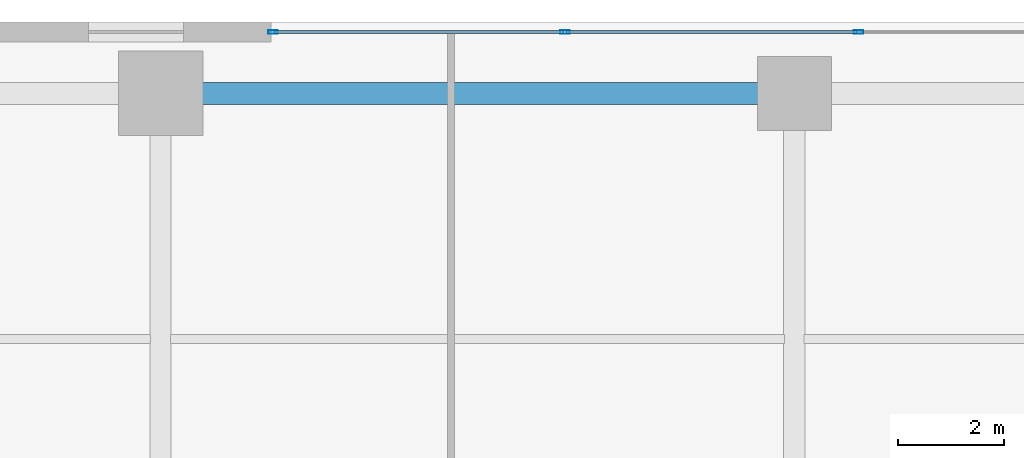
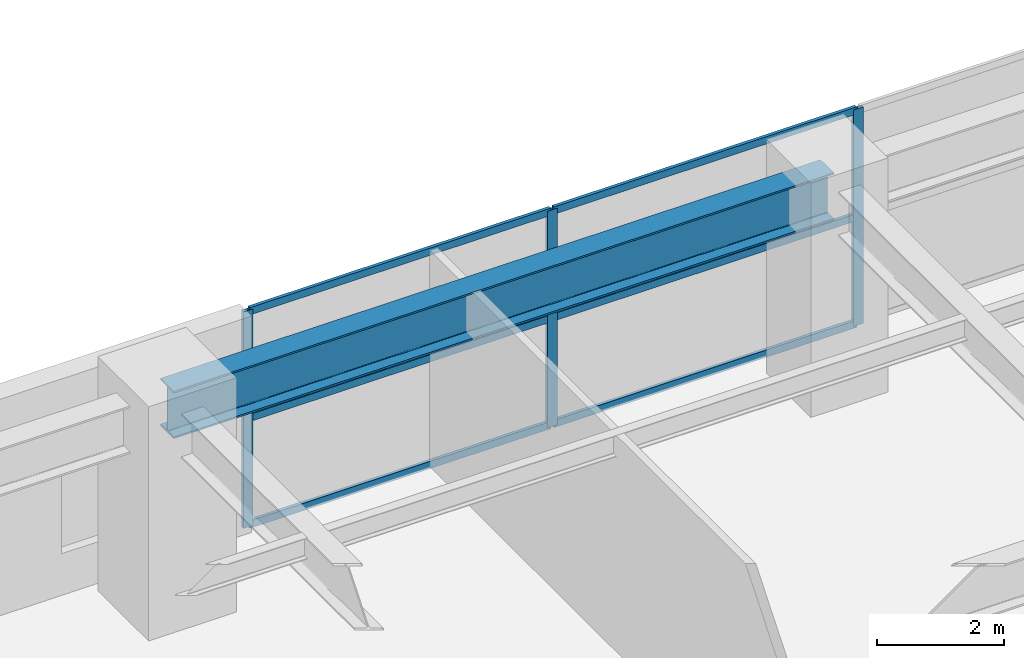
# One storey, part 5 of 26: 9 members, 1 beam, 1 element without a shape of its own.
"""IFC4 building model written with IfcOpenShell, lengths in metres."""

from ifc_helpers import new_model, si_unit, direction, frame, origin, origin_2d, place, context, subcontext, project, spatial, hollow_rectangle, i_section, extrude, source, transform, mapped, material, layer, layer_set, material_profile, profile_set, type_object, element, aggregate, save


model = new_model("IFC4")

# Units and contexts
model_context = context("Model", 3, precision=1e-05, world=origin(), true_north=direction((0.0, 1.0)))
body_context = subcontext(model_context, "Body", "Model", "MODEL_VIEW")
ifc_project = project(units=[si_unit("LENGTHUNIT", "METRE"), si_unit("AREAUNIT", "SQUARE_METRE"), si_unit("VOLUMEUNIT", "CUBIC_METRE"), si_unit("PLANEANGLEUNIT", "RADIAN"), si_unit("MASSUNIT", "GRAM", prefix="KILO")], contexts=[model_context])

# Site, building, storey
site_placement = place(None, origin())
site = spatial("IfcSite", under=ifc_project, at=site_placement, CompositionType="ELEMENT")
building_placement = place(site_placement, origin())
building = spatial("IfcBuilding", under=site, at=building_placement, Name="Khoralis Quay Care Tower", CompositionType="ELEMENT")
storey_placement = place(building_placement, frame((0.0, 0.0, 4.5)))
storey = spatial("IfcBuildingStorey", under=building, at=storey_placement, Name="L01", CompositionType="ELEMENT", Elevation=4.5)

# Beam
ifc_material_1 = material(Name="Steel S355", Category="steel")
ifc_material_profile_1 = material_profile(ifc_material_1, i_section(OverallWidth=0.41796875, OverallDepth=0.912109375, WebThickness=0.019287109375, FlangeThickness=0.031982421875, FilletRadius=0.02392578125, at=origin_2d()), Name="Steel S355")
ifc_profile_set_1 = profile_set([ifc_material_profile_1], Name="Steel S355")
beam_type = type_object("IfcBeamType", Name="BM-W920X342", PredefinedType="BEAM", material=ifc_profile_set_1)
shared_shape_1 = source(origin(), body_context, "Body", "SweptSolid", [
    extrude(i_section(OverallWidth=0.41796875, OverallDepth=0.912109375, WebThickness=0.019287109375, FlangeThickness=0.031982421875, FilletRadius=0.02392578125, at=origin_2d()), origin(), (0.0, 0.0, 1.0), 12.0),
])
beam_placement = place(storey_placement, frame((12.0, 46.64990234375, 3.7041015625), z_axis=(1.0, 0.0, 0.0), x_axis=(0.0, 1.0, 0.0)))
element("IfcBeam", 1, at=beam_placement, inside=storey, type_object=beam_type, Name="BM-PODX-L01-20", PredefinedType="BEAM", context=body_context, shape_type="MappedRepresentation", body=[
    mapped(shared_shape_1, transform((0.0, 0.0, 0.0), scale=1.0)),
])

# Curtain wall, members
ifc_material_2 = material(Name="Pale anodised aluminium", Category="aluminium")
ifc_layer = layer(ifc_material_2, 0.179931640625)
ifc_layer_set = layer_set([ifc_layer], Name="Pale anodised aluminium")
curtain_wall_type = type_object("IfcCurtainWallType", Name="CW-SYS-Z1", PredefinedType="NOTDEFINED", material=ifc_layer_set)
curtain_wall_placement = place(storey_placement, origin())
curtain_wall = element("IfcCurtainWall", 2, at=curtain_wall_placement, inside=storey, type_object=curtain_wall_type, Name="L01 Unitised Curtain Wall CW-POD-L01-E4", PredefinedType="NOTDEFINED")
ifc_material_profile_2 = material_profile(ifc_material_2, hollow_rectangle(XDim=0.06494140625, YDim=0.179931640625, WallThickness=0.00390625, at=origin_2d()), Name="Pale anodised aluminium")
ifc_profile_set_2 = profile_set([ifc_material_profile_2], Name="Pale anodised aluminium")
member_type_1 = type_object("IfcMemberType", Name="CW-MUL-180", PredefinedType="MULLION", material=ifc_profile_set_2)
shared_shape_2 = source(origin(), body_context, "Body", "SweptSolid", [
    extrude(hollow_rectangle(XDim=0.06494140625, YDim=0.179931640625, WallThickness=0.00390625, at=origin_2d()), origin(), (0.0, 0.0, 1.0), 4.159912109375),
])
member_1_placement = place(storey_placement, frame((25.218994140625, 47.81005859375, 0.0), z_axis=(0.0, 0.0, 1.0), x_axis=(0.0, -1.0, 0.0)))
member_1 = element("IfcMember", 3, at=member_1_placement, type_object=member_type_1, Name="CW1 mullion 4", PredefinedType="MULLION", context=body_context, shape_type="MappedRepresentation", body=[
    mapped(shared_shape_2, transform((0.0, 0.0, 0.0), scale=1.0)),
])
member_2_placement = place(storey_placement, frame((19.656982421875, 47.81005859375, 0.0), z_axis=(0.0, 0.0, 1.0), x_axis=(0.0, -1.0, 0.0)))
member_2 = element("IfcMember", 4, at=member_2_placement, type_object=member_type_1, Name="CW1 mullion 5", PredefinedType="MULLION", context=body_context, shape_type="MappedRepresentation", body=[
    mapped(shared_shape_2, transform((0.0, 0.0, 0.0), scale=1.0)),
])
member_3_placement = place(storey_placement, frame((14.125, 47.81005859375, 0.0), z_axis=(0.0, 0.0, 1.0), x_axis=(0.0, -1.0, 0.0)))
member_3 = element("IfcMember", 5, at=member_3_placement, type_object=member_type_1, Name="CW1 mullion 6", PredefinedType="MULLION", context=body_context, shape_type="MappedRepresentation", body=[
    mapped(shared_shape_2, transform((0.0, 0.0, 0.0), scale=1.0)),
])
ifc_material_profile_3 = material_profile(ifc_material_2, hollow_rectangle(XDim=0.06005859375, YDim=0.139892578125, WallThickness=0.00390625, at=origin_2d()), Name="Pale anodised aluminium")
ifc_profile_set_3 = profile_set([ifc_material_profile_3], Name="Pale anodised aluminium")
member_type_2 = type_object("IfcMemberType", Name="CW-TRN-140", PredefinedType="USERDEFINED", material=ifc_profile_set_3)
shared_shape_3 = source(origin(), body_context, "Body", "SweptSolid", [
    extrude(hollow_rectangle(XDim=0.06005859375, YDim=0.139892578125, WallThickness=0.00390625, at=origin_2d()), origin(), (0.0, 0.0, 1.0), 5.471923828125),
])
member_4_placement = place(storey_placement, frame((19.626953125, 47.81005859375, 0.030029296875), z_axis=(-1.0, 0.0, 0.0), x_axis=(0.0, -1.0, 0.0)))
member_4 = element("IfcMember", 6, at=member_4_placement, type_object=member_type_2, Name="CW1 transom 5.1", ObjectType="TRANSOM", PredefinedType="USERDEFINED", context=body_context, shape_type="MappedRepresentation", body=[
    mapped(shared_shape_3, transform((0.0, 0.0, 0.0), scale=1.0)),
])
member_5_placement = place(storey_placement, frame((19.626953125, 47.81005859375, 2.080078125), z_axis=(-1.0, 0.0, 0.0), x_axis=(0.0, -1.0, 0.0)))
member_5 = element("IfcMember", 7, at=member_5_placement, type_object=member_type_2, Name="CW1 transom 5.2", ObjectType="TRANSOM", PredefinedType="USERDEFINED", context=body_context, shape_type="MappedRepresentation", body=[
    mapped(shared_shape_3, transform((0.0, 0.0, 0.0), scale=1.0)),
])
member_6_placement = place(storey_placement, frame((19.626953125, 47.81005859375, 4.1298828125), z_axis=(-1.0, 0.0, 0.0), x_axis=(0.0, -1.0, 0.0)))
member_6 = element("IfcMember", 8, at=member_6_placement, type_object=member_type_2, Name="CW1 transom 5.3", ObjectType="TRANSOM", PredefinedType="USERDEFINED", context=body_context, shape_type="MappedRepresentation", body=[
    mapped(shared_shape_3, transform((0.0, 0.0, 0.0), scale=1.0)),
])
shared_shape_4 = source(origin(), body_context, "Body", "SweptSolid", [
    extrude(hollow_rectangle(XDim=0.06005859375, YDim=0.139892578125, WallThickness=0.00390625, at=origin_2d()), origin(), (0.0, 0.0, 1.0), 5.501953125),
])
member_7_placement = place(storey_placement, frame((25.18896484375, 47.81005859375, 0.030029296875), z_axis=(-1.0, 0.0, 0.0), x_axis=(0.0, -1.0, 0.0)))
member_7 = element("IfcMember", 9, at=member_7_placement, type_object=member_type_2, Name="CW1 transom 4.1", ObjectType="TRANSOM", PredefinedType="USERDEFINED", context=body_context, shape_type="MappedRepresentation", body=[
    mapped(shared_shape_4, transform((0.0, 0.0, 0.0), scale=1.0)),
])
member_8_placement = place(storey_placement, frame((25.18896484375, 47.81005859375, 2.080078125), z_axis=(-1.0, 0.0, 0.0), x_axis=(0.0, -1.0, 0.0)))
member_8 = element("IfcMember", 10, at=member_8_placement, type_object=member_type_2, Name="CW1 transom 4.2", ObjectType="TRANSOM", PredefinedType="USERDEFINED", context=body_context, shape_type="MappedRepresentation", body=[
    mapped(shared_shape_4, transform((0.0, 0.0, 0.0), scale=1.0)),
])
member_9_placement = place(storey_placement, frame((25.18896484375, 47.81005859375, 4.1298828125), z_axis=(-1.0, 0.0, 0.0), x_axis=(0.0, -1.0, 0.0)))
member_9 = element("IfcMember", 11, at=member_9_placement, type_object=member_type_2, Name="CW1 transom 4.3", ObjectType="TRANSOM", PredefinedType="USERDEFINED", context=body_context, shape_type="MappedRepresentation", body=[
    mapped(shared_shape_4, transform((0.0, 0.0, 0.0), scale=1.0)),
])
aggregate(curtain_wall, [member_1, member_2, member_3, member_7, member_8, member_9, member_4, member_5, member_6])

save(model, "model.ifc")
